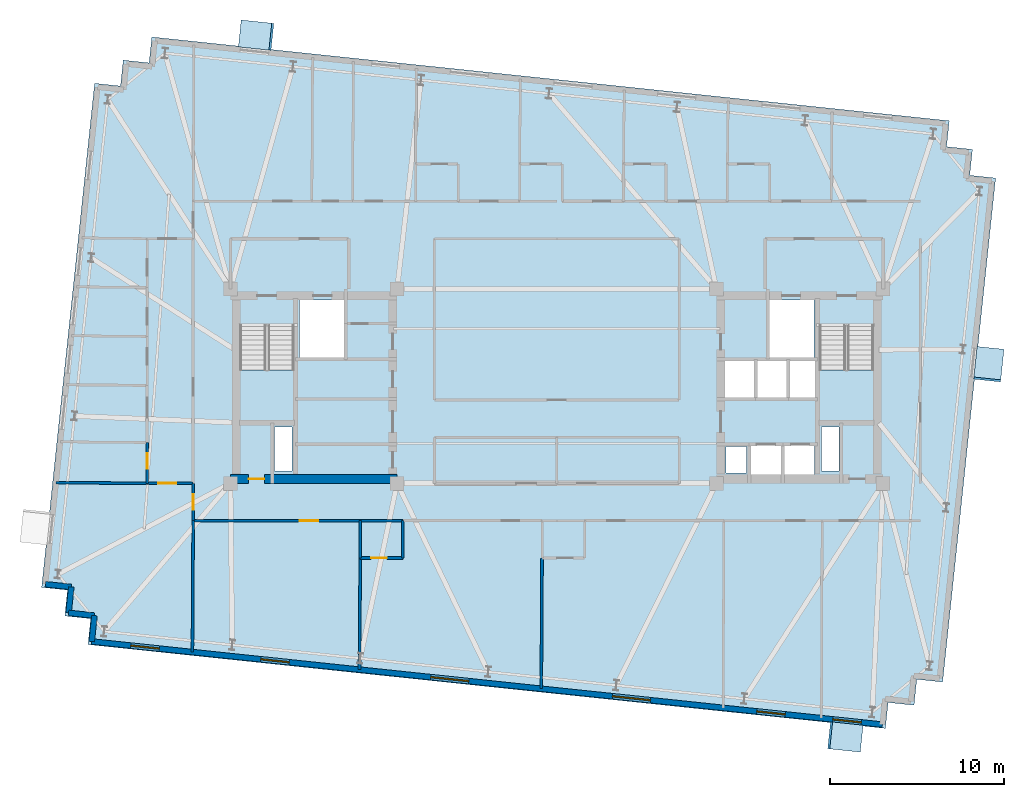
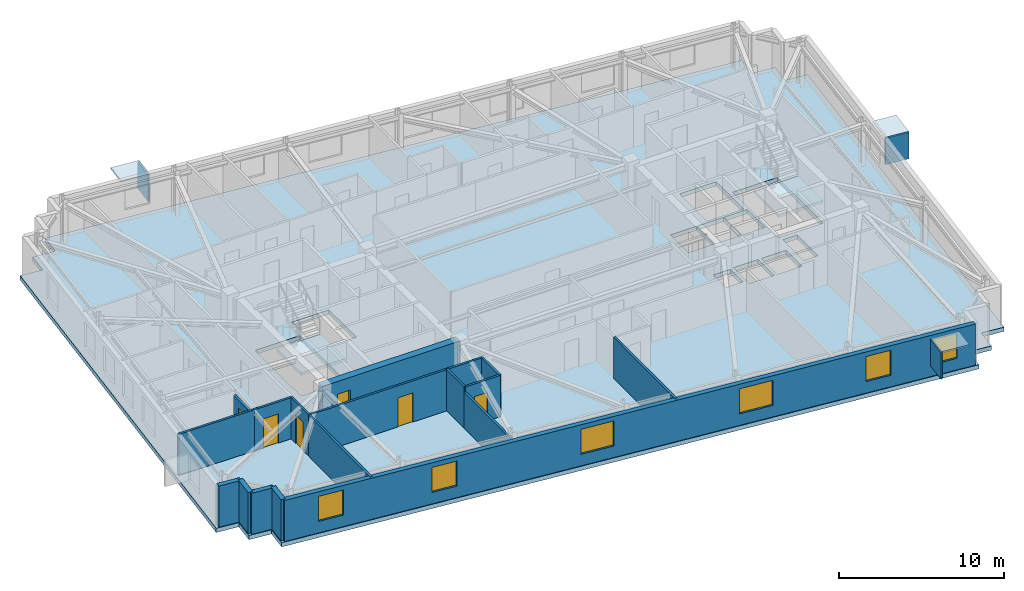
# One storey, part 5 of 12: 18 walls, 6 doors, 6 plates, 6 windows, 3 slabs, 12 openings, 2 elements without a shape of their own.
"""IFC4 building model written with IfcOpenShell, lengths in metres."""

from ifc_helpers import new_model, si_unit, direction, frame, frame_2d, origin, origin_2d, place, context, subcontext, project, spatial, polyline, rectangle, outline, extrude, material, layer, layer_set, type_object, element, fill, aggregate, save


model = new_model("IFC4")

# Units and contexts
model_context = context("Model", 3, precision=1e-05, world=origin(), true_north=direction((0.0, 1.0)))
body_context = subcontext(model_context, "Body", "Model", "MODEL_VIEW")
ifc_project = project(units=[si_unit("LENGTHUNIT", "METRE"), si_unit("AREAUNIT", "SQUARE_METRE"), si_unit("VOLUMEUNIT", "CUBIC_METRE"), si_unit("PLANEANGLEUNIT", "RADIAN"), si_unit("MASSUNIT", "GRAM", prefix="KILO")], contexts=[model_context])

# Site, building, storey
site_placement = place(None, origin())
site = spatial("IfcSite", under=ifc_project, at=site_placement, CompositionType="ELEMENT")
building_placement = place(site_placement, origin())
building = spatial("IfcBuilding", under=site, at=building_placement, Name="Qobustan Lattice House", CompositionType="ELEMENT")
storey_placement = place(building_placement, frame((0.0, 0.0, 189.699951171875)))
storey = spatial("IfcBuildingStorey", under=building, at=storey_placement, Name="L53", CompositionType="ELEMENT", Elevation=189.699951171875)

# Plates
ifc_material_1 = material(Name="Qobustan limestone GFRC", Category="masonry")
ifc_layer_1 = layer(ifc_material_1, 0.1201171875)
ifc_layer_set_1 = layer_set([ifc_layer_1], Name="Qobustan limestone GFRC")
plate_type = type_object("IfcPlateType", Name="SHD-HOOD-BROW", PredefinedType="USERDEFINED", material=ifc_layer_set_1)
plate_1_placement = place(storey_placement, frame((-17.3251953125, 20.220703125, 2.699951171875), z_axis=(0.0, 0.0, 1.0), x_axis=(0.994521895368, -0.104528463268, 0.0)))
element("IfcPlate", 1, at=plate_1_placement, inside=storey, type_object=plate_type, Name="L53 splayed Qobustan stone hood brow", ObjectType="SUNSHADE", PredefinedType="USERDEFINED", context=body_context, shape_type="SweptSolid", body=[
    extrude(rectangle(XDim=1.889892578125, YDim=1.56005859375, at=origin_2d()), origin(), (0.0, 0.0, 1.0), 0.1201171875),
])
plate_2_placement = place(storey_placement, frame((-16.445068359375, 20.128173828125, 0.7900390625), z_axis=(0.0, 0.0, 1.0), x_axis=(0.994521895368, -0.104528463268, 0.0)))
element("IfcPlate", 2, at=plate_2_placement, inside=storey, type_object=plate_type, Name="L53 splayed Qobustan stone hood cheek", ObjectType="SUNSHADE", PredefinedType="USERDEFINED", context=body_context, shape_type="SweptSolid", body=[
    extrude(rectangle(XDim=0.1201171875, YDim=1.56005859375, at=origin_2d()), origin(), (0.0, 0.0, 1.0), 1.969970703125),
])
plate_3_placement = place(storey_placement, frame((24.8896484375, 1.264892578125, 2.699951171875), z_axis=(0.0, 0.0, 1.0), x_axis=(-0.104528463268, -0.994521895368, 0.0)))
element("IfcPlate", 3, at=plate_3_placement, inside=storey, type_object=plate_type, Name="L53 splayed Qobustan stone hood brow", ObjectType="SUNSHADE", PredefinedType="USERDEFINED", context=body_context, shape_type="SweptSolid", body=[
    extrude(rectangle(XDim=1.889892578125, YDim=1.56005859375, at=origin_2d()), origin(), (0.0, 0.0, 1.0), 0.1201171875),
])
plate_4_placement = place(storey_placement, frame((24.797119140625, 0.384765625, 0.7900390625), z_axis=(0.0, 0.0, 1.0), x_axis=(-0.104528463268, -0.994521895368, 0.0)))
element("IfcPlate", 4, at=plate_4_placement, inside=storey, type_object=plate_type, Name="L53 splayed Qobustan stone hood cheek", ObjectType="SUNSHADE", PredefinedType="USERDEFINED", context=body_context, shape_type="SweptSolid", body=[
    extrude(rectangle(XDim=0.1201171875, YDim=1.56005859375, at=origin_2d()), origin(), (0.0, 0.0, 1.0), 1.969970703125),
])
plate_5_placement = place(storey_placement, frame((16.6279296875, -20.2099609375, 2.699951171875), z_axis=(0.0, 0.0, 1.0), x_axis=(-0.994521895368, 0.104528463268, 0.0)))
element("IfcPlate", 5, at=plate_5_placement, inside=storey, type_object=plate_type, Name="L53 splayed Qobustan stone hood brow", ObjectType="SUNSHADE", PredefinedType="USERDEFINED", context=body_context, shape_type="SweptSolid", body=[
    extrude(rectangle(XDim=1.889892578125, YDim=1.56005859375, at=origin_2d()), origin(), (0.0, 0.0, 1.0), 0.1201171875),
])
plate_6_placement = place(storey_placement, frame((15.747802734375, -20.117431640625, 0.7900390625), z_axis=(0.0, 0.0, 1.0), x_axis=(-0.994521895368, 0.104528463268, 0.0)))
element("IfcPlate", 6, at=plate_6_placement, inside=storey, type_object=plate_type, Name="L53 splayed Qobustan stone hood cheek", ObjectType="SUNSHADE", PredefinedType="USERDEFINED", context=body_context, shape_type="SweptSolid", body=[
    extrude(rectangle(XDim=0.1201171875, YDim=1.56005859375, at=origin_2d()), origin(), (0.0, 0.0, 1.0), 1.969970703125),
])

# Slab
ifc_material_2 = material(Name="Concrete C40/50", Category="concrete")
ifc_layer_2 = layer(ifc_material_2, 0.31005859375)
ifc_layer_set_2 = layer_set([ifc_layer_2], Name="Concrete C40/50")
slab_type_1 = type_object("IfcSlabType", Name="SLB-FLR-310", PredefinedType="FLOOR", material=ifc_layer_set_2)
slab_1_placement = place(storey_placement, frame((0.0, 0.0, -0.31005859375)))
element("IfcSlab", 7, at=slab_1_placement, inside=storey, type_object=slab_type_1, Name="L53 structural floor slab", PredefinedType="FLOOR", context=body_context, shape_type="SweptSolid", body=[
    extrude(outline(polyline([(-27.01318359375, -14.888916015625), (18.933837890625, -19.71826171875), (19.090576171875, -18.226318359375), (20.582275390625, -18.38330078125), (20.739013671875, -16.891357421875), (22.23095703125, -17.048095703125), (25.283203125, 11.99169921875), (23.79150390625, 12.148681640625), (23.947998046875, 13.640380859375), (22.456298828125, 13.797119140625), (22.61328125, 15.2890625), (-23.333740234375, 20.1181640625), (-23.490478515625, 18.62646484375), (-24.982421875, 18.783203125), (-25.13916015625, 17.29150390625), (-26.630859375, 17.4482421875), (-29.68310546875, -11.591796875), (-28.19140625, -11.74853515625), (-28.34814453125, -13.240478515625), (-26.8564453125, -13.397216796875), (-27.01318359375, -14.888916015625)]), holes=[polyline([(-18.25, -2.050048828125), (-18.25, 3.489990234375), (-15.1298828125, 3.489990234375), (-15.1298828125, -2.050048828125), (-18.25, -2.050048828125)]), polyline([(15.1298828125, -2.050048828125), (15.1298828125, 3.489990234375), (18.25, 3.489990234375), (18.25, -2.050048828125), (15.1298828125, -2.050048828125)]), polyline([(-14.820068359375, 1.64990234375), (-14.820068359375, 4.9599609375), (-12.25, 4.9599609375), (-12.25, 1.64990234375), (-14.820068359375, 1.64990234375)]), polyline([(12.25, 1.64990234375), (12.25, 4.9599609375), (14.820068359375, 4.9599609375), (14.820068359375, 1.64990234375), (12.25, 1.64990234375)]), polyline([(-16.260009765625, -4.8798828125), (-16.260009765625, -2.360107421875), (-15.260009765625, -2.360107421875), (-15.260009765625, -4.8798828125), (-16.260009765625, -4.8798828125)]), polyline([(15.260009765625, -4.8798828125), (15.260009765625, -2.360107421875), (16.260009765625, -2.360107421875), (16.260009765625, -4.8798828125), (15.260009765625, -4.8798828125)]), polyline([(11.179931640625, -5.35009765625), (11.179931640625, -3.419921875), (12.919921875, -3.419921875), (12.919921875, -5.35009765625), (11.179931640625, -5.35009765625)]), polyline([(13.1201171875, -5.35009765625), (13.1201171875, -3.419921875), (14.85009765625, -3.419921875), (14.85009765625, -5.35009765625), (13.1201171875, -5.35009765625)]), polyline([(9.760009765625, -5.0), (9.760009765625, -3.47998046875), (10.93994140625, -3.47998046875), (10.93994140625, -5.0), (9.760009765625, -5.0)]), polyline([(13.360107421875, -0.679931640625), (13.360107421875, 1.47998046875), (14.97998046875, 1.47998046875), (14.97998046875, -0.679931640625), (13.360107421875, -0.679931640625)]), polyline([(9.6201171875, -0.679931640625), (9.6201171875, 1.47998046875), (11.43994140625, 1.47998046875), (11.43994140625, -0.679931640625), (9.6201171875, -0.679931640625)]), polyline([(11.5, -0.679931640625), (11.5, 1.47998046875), (13.320068359375, 1.47998046875), (13.320068359375, -0.679931640625), (11.5, -0.679931640625)])]), origin(), (0.0, 0.0, 1.0), 0.31005859375),
])

# Stair, slab
ifc_material_3 = material(Name="Concrete C40/50", Category="concrete")
stair_type = type_object("IfcStairType", Name="STR-CORE-DOGLEG", PredefinedType="HALF_TURN_STAIR", material=ifc_material_3)
stair_1_placement = place(storey_placement, origin())
stair_1 = element("IfcStair", 8, at=stair_1_placement, inside=storey, type_object=stair_type, Name="L53 West protected exit stair ST-W1", PredefinedType="HALF_TURN_STAIR")
ifc_material_4 = material(Name="Concrete C40/50", Category="concrete")
ifc_layer_3 = layer(ifc_material_4, 0.199951171875)
ifc_layer_set_3 = layer_set([ifc_layer_3], Name="Concrete C40/50")
slab_type_2 = type_object("IfcSlabType", Name="SLB-LANDING-200", PredefinedType="LANDING", material=ifc_layer_set_3)
slab_2_placement = place(storey_placement, frame((0.0, 0.0, 1.47509765625)))
slab_2 = element("IfcSlab", 9, at=slab_2_placement, type_object=slab_type_2, Name="ST-W1 landing 1", PredefinedType="LANDING", context=body_context, shape_type="SweptSolid", body=[
    extrude(outline(polyline([(-18.25, 0.93505859375), (-18.25, -2.050048828125), (-15.1298828125, -2.050048828125), (-15.1298828125, 0.93505859375), (-18.25, 0.93505859375)])), origin(), (0.0, 0.0, 1.0), 0.199951171875),
])
aggregate(stair_1, [slab_2])

stair_2_placement = place(storey_placement, origin())
stair_2 = element("IfcStair", 10, at=stair_2_placement, inside=storey, type_object=stair_type, Name="L53 East protected exit stair ST-E1", PredefinedType="HALF_TURN_STAIR")
slab_3_placement = place(storey_placement, frame((0.0, 0.0, 1.47509765625)))
slab_3 = element("IfcSlab", 11, at=slab_3_placement, type_object=slab_type_2, Name="ST-E1 landing 1", PredefinedType="LANDING", context=body_context, shape_type="SweptSolid", body=[
    extrude(outline(polyline([(15.1298828125, 0.93505859375), (15.1298828125, -2.050048828125), (18.25, -2.050048828125), (18.25, 0.93505859375), (15.1298828125, 0.93505859375)])), origin(), (0.0, 0.0, 1.0), 0.199951171875),
])
aggregate(stair_2, [slab_3])

# Wall, opening, door
ifc_material_5 = material(Name="Concrete C50/60", Category="concrete")
ifc_layer_4 = layer(ifc_material_5, 0.5)
ifc_layer_set_4 = layer_set([ifc_layer_4], Name="Concrete C50/60")
wall_type_1 = type_object("IfcWallType", Name="WAL-CORE-500", PredefinedType="SHEAR", material=ifc_layer_set_4)
wall_1_placement = place(storey_placement, frame((-18.800048828125, -5.35009765625, 0.0), z_axis=(0.0, 0.0, 1.0), x_axis=(1.0, 0.0, 0.0)))
wall_1 = element("IfcWall", 12, at=wall_1_placement, inside=storey, type_object=wall_type_1, Name="L53 split-core shear wall CW-S", PredefinedType="SHEAR", context=body_context, shape_type="SweptSolid", body=[
    extrude(rectangle(XDim=9.60009765625, YDim=0.5, at=frame_2d((4.800048828125, 0.0))), origin(), (0.0, 0.0, 1.0), 3.0400390625),
])
opening_1_placement = place(wall_1_placement, frame((1.050048828125, 0.0, 0.0)))
opening_1 = element("IfcOpeningElement", 13, at=opening_1_placement, cuts=wall_1, Name="Opening RD-01", PredefinedType="OPENING", context=body_context, shape_type="SweptSolid", body=[
    extrude(rectangle(XDim=0.89990234375, YDim=2.10009765625, at=frame_2d((0.449951171875, 1.050048828125))), frame((0.0, 0.260009765625, 0.0), z_axis=(0.0, -1.0, 0.0), x_axis=(1.0, 0.0, 0.0)), (0.0, 0.0, 1.0), 0.52001953125),
])
ifc_material_6 = material(Name="Persian walnut timber and steel frame door", Category="steel")
door_type_1 = type_object("IfcDoorType", Name="DOR-RISER-FD-900x2100", OperationType="NOTDEFINED", PredefinedType="DOOR", material=ifc_material_6)
door_1_placement = place(opening_1_placement, origin())
door_1 = element("IfcDoor", 14, at=door_1_placement, inside=storey, type_object=door_type_1, Name="L53 core service riser access door W", OperationType="SINGLE_SWING_LEFT", OverallHeight=2.10009765625, OverallWidth=0.89990234375, PredefinedType="DOOR", context=body_context, shape_type="SweptSolid", body=[
    extrude(rectangle(XDim=0.89990234375, YDim=2.10009765625, at=frame_2d((0.449951171875, 1.050048828125))), frame((0.0, 0.02490234375, 0.0), z_axis=(0.0, -1.0, 0.0), x_axis=(1.0, 0.0, 0.0)), (0.0, 0.0, 1.0), 0.050048828125),
])
fill(opening_1, door_1)

# Walls
ifc_material_7 = material(Name="Precast concrete C40/50", Category="concrete")
ifc_layer_5 = layer(ifc_material_7, 0.320068359375)
ifc_layer_set_5 = layer_set([ifc_layer_5], Name="Precast concrete C40/50")
wall_type_2 = type_object("IfcWallType", Name="WAL-EXT-STONE-320", PredefinedType="SOLIDWALL", material=ifc_layer_set_5)
for number, where, z_axis, x_axis, name in (
    (15, (-26.79345703125, -14.7109375, 0.0), (0.0, 0.0, 1.0), (0.104498377516, 0.994525057048, 0.0), "L53 exterior limestone-clad wall 1"),
    (16, (-26.63671875, -13.21923828125, 0.0), (0.0, 0.0, 1.0), (-0.994525057048, 0.104498377516, 0.0), "L53 exterior limestone-clad wall 2"),
):
    element("IfcWall", number, at=place(storey_placement, frame(where, z_axis=z_axis, x_axis=x_axis)), inside=storey, type_object=wall_type_2, Name=name, PredefinedType="SOLIDWALL", context=body_context, shape_type="SweptSolid", body=[
        extrude(rectangle(XDim=1.5, YDim=0.320068359375, at=frame_2d((0.75, 0.0))), origin(), (0.0, 0.0, 1.0), 3.0400390625),
    ])
wall_2_placement = place(storey_placement, frame((-28.12841796875, -13.0625, 0.0), z_axis=(0.0, 0.0, 1.0), x_axis=(0.104481464157, 0.994526834051, 0.0)))
element("IfcWall", 17, at=wall_2_placement, inside=storey, type_object=wall_type_2, Name="L53 exterior limestone-clad wall 3", PredefinedType="SOLIDWALL", context=body_context, shape_type="SweptSolid", body=[
    extrude(rectangle(XDim=1.500244140625, YDim=0.320068359375, at=frame_2d((0.75, 0.0))), origin(), (0.0, 0.0, 1.0), 3.0400390625),
])
wall_3_placement = place(storey_placement, frame((-27.9716796875, -11.570556640625, 0.0), z_axis=(0.0, 0.0, 1.0), x_axis=(-0.994525057048, 0.104498377516, 0.0)))
element("IfcWall", 18, at=wall_3_placement, inside=storey, type_object=wall_type_2, Name="L53 exterior limestone-clad wall 4", PredefinedType="SOLIDWALL", context=body_context, shape_type="SweptSolid", body=[
    extrude(rectangle(XDim=1.5, YDim=0.320068359375, at=frame_2d((0.75, 0.0))), origin(), (0.0, 0.0, 1.0), 3.0400390625),
])

# Wall, openings, windows
wall_4_placement = place(storey_placement, frame((18.755859375, -19.498291015625, 0.0), z_axis=(0.0, 0.0, 1.0), x_axis=(-0.994522060044, 0.104526896475, 0.0)))
wall_4 = element("IfcWall", 19, at=wall_4_placement, inside=storey, type_object=wall_type_2, Name="L53 exterior limestone-clad wall 20", PredefinedType="SOLIDWALL", context=body_context, shape_type="SweptSolid", body=[
    extrude(rectangle(XDim=45.80029296875, YDim=0.320068359375, at=frame_2d((22.900146484375, 0.0))), origin(), (0.0, 0.0, 1.0), 3.0400390625),
])
opening_2_placement = place(wall_4_placement, frame((1.216796875, 0.0, 0.85009765625)))
opening_2 = element("IfcOpeningElement", 20, at=opening_2_placement, cuts=wall_4, Name="Opening WN-09", PredefinedType="OPENING", context=body_context, shape_type="SweptSolid", body=[
    extrude(rectangle(XDim=1.64990234375, YDim=1.85009765625, at=frame_2d((0.824951171875, 0.925048828125))), frame((0.0, 0.169921875, 0.0), z_axis=(0.0, -1.0, 0.0), x_axis=(1.0, 0.0, 0.0)), (0.0, 0.0, 1.0), 0.340087890625),
])
opening_3_placement = place(wall_4_placement, frame((5.62060546875, 0.0, 0.85009765625)))
opening_3 = element("IfcOpeningElement", 21, at=opening_3_placement, cuts=wall_4, Name="Opening WN-09", PredefinedType="OPENING", context=body_context, shape_type="SweptSolid", body=[
    extrude(rectangle(XDim=1.64990234375, YDim=1.85009765625, at=frame_2d((0.824951171875, 0.925048828125))), frame((0.0, 0.169921875, 0.0), z_axis=(0.0, -1.0, 0.0), x_axis=(1.0, 0.0, 0.0)), (0.0, 0.0, 1.0), 0.340087890625),
])
opening_4_placement = place(wall_4_placement, frame((13.4326171875, 0.0, 0.85009765625)))
opening_4 = element("IfcOpeningElement", 22, at=opening_4_placement, cuts=wall_4, Name="Opening WN-03", PredefinedType="OPENING", context=body_context, shape_type="SweptSolid", body=[
    extrude(rectangle(XDim=2.199951171875, YDim=1.85009765625, at=frame_2d((1.10009765625, 0.925048828125))), frame((0.0, 0.169921875, 0.0), z_axis=(0.0, -1.0, 0.0), x_axis=(1.0, 0.0, 0.0)), (0.0, 0.0, 1.0), 0.340087890625),
])
opening_5_placement = place(wall_4_placement, frame((23.9619140625, 0.0, 0.85009765625)))
opening_5 = element("IfcOpeningElement", 23, at=opening_5_placement, cuts=wall_4, Name="Opening WN-03", PredefinedType="OPENING", context=body_context, shape_type="SweptSolid", body=[
    extrude(rectangle(XDim=2.199951171875, YDim=1.85009765625, at=frame_2d((1.10009765625, 0.925048828125))), frame((0.0, 0.169921875, 0.0), z_axis=(0.0, -1.0, 0.0), x_axis=(1.0, 0.0, 0.0)), (0.0, 0.0, 1.0), 0.340087890625),
])
opening_6_placement = place(wall_4_placement, frame((34.36572265625, 0.0, 0.85009765625)))
opening_6 = element("IfcOpeningElement", 24, at=opening_6_placement, cuts=wall_4, Name="Opening WN-09", PredefinedType="OPENING", context=body_context, shape_type="SweptSolid", body=[
    extrude(rectangle(XDim=1.64990234375, YDim=1.85009765625, at=frame_2d((0.824951171875, 0.925048828125))), frame((0.0, 0.169921875, 0.0), z_axis=(0.0, -1.0, 0.0), x_axis=(1.0, 0.0, 0.0)), (0.0, 0.0, 1.0), 0.340087890625),
])
opening_7_placement = place(wall_4_placement, frame((41.892333984375, 0.0, 0.85009765625)))
opening_7 = element("IfcOpeningElement", 25, at=opening_7_placement, cuts=wall_4, Name="Opening WN-09", PredefinedType="OPENING", context=body_context, shape_type="SweptSolid", body=[
    extrude(rectangle(XDim=1.64990234375, YDim=1.85009765625, at=frame_2d((0.824951171875, 0.925048828125))), frame((0.0, 0.169921875, 0.0), z_axis=(0.0, -1.0, 0.0), x_axis=(1.0, 0.0, 0.0)), (0.0, 0.0, 1.0), 0.340087890625),
])
ifc_material_8 = material(Name="Double-glazed low-E aluminium window", Category="aluminium")
window_type_1 = type_object("IfcWindowType", Name="WIN-STU-1650x1850", PartitioningType="SINGLE_PANEL", PredefinedType="WINDOW", material=ifc_material_8)
window_1_placement = place(opening_2_placement, origin())
window_1 = element("IfcWindow", 26, at=window_1_placement, inside=storey, type_object=window_type_1, Name="L53 Academic seminar room window", OverallHeight=1.85009765625, OverallWidth=1.64990234375, PartitioningType="SINGLE_PANEL", PredefinedType="WINDOW", context=body_context, shape_type="SweptSolid", body=[
    extrude(rectangle(XDim=1.64990234375, YDim=1.85009765625, at=frame_2d((0.824951171875, 0.925048828125))), frame((0.0, 0.030029296875, 0.0), z_axis=(0.0, -1.0, 0.0), x_axis=(1.0, 0.0, 0.0)), (0.0, 0.0, 1.0), 0.06005859375),
])
fill(opening_2, window_1)
window_2_placement = place(opening_3_placement, origin())
window_2 = element("IfcWindow", 27, at=window_2_placement, inside=storey, type_object=window_type_1, Name="L53 Group study room window", OverallHeight=1.85009765625, OverallWidth=1.64990234375, PartitioningType="SINGLE_PANEL", PredefinedType="WINDOW", context=body_context, shape_type="SweptSolid", body=[
    extrude(rectangle(XDim=1.64990234375, YDim=1.85009765625, at=frame_2d((0.824951171875, 0.925048828125))), frame((0.0, 0.030029296875, 0.0), z_axis=(0.0, -1.0, 0.0), x_axis=(1.0, 0.0, 0.0)), (0.0, 0.0, 1.0), 0.06005859375),
])
fill(opening_3, window_2)
window_3_placement = place(opening_6_placement, origin())
window_3 = element("IfcWindow", 28, at=window_3_placement, inside=storey, type_object=window_type_1, Name="L53 Focus study room S1 window", OverallHeight=1.85009765625, OverallWidth=1.64990234375, PartitioningType="SINGLE_PANEL", PredefinedType="WINDOW", context=body_context, shape_type="SweptSolid", body=[
    extrude(rectangle(XDim=1.64990234375, YDim=1.85009765625, at=frame_2d((0.824951171875, 0.925048828125))), frame((0.0, 0.030029296875, 0.0), z_axis=(0.0, -1.0, 0.0), x_axis=(1.0, 0.0, 0.0)), (0.0, 0.0, 1.0), 0.06005859375),
])
fill(opening_6, window_3)
window_4_placement = place(opening_7_placement, origin())
window_4 = element("IfcWindow", 29, at=window_4_placement, inside=storey, type_object=window_type_1, Name="L53 Reading study room L53WS window", OverallHeight=1.85009765625, OverallWidth=1.64990234375, PartitioningType="SINGLE_PANEL", PredefinedType="WINDOW", context=body_context, shape_type="SweptSolid", body=[
    extrude(rectangle(XDim=1.64990234375, YDim=1.85009765625, at=frame_2d((0.824951171875, 0.925048828125))), frame((0.0, 0.030029296875, 0.0), z_axis=(0.0, -1.0, 0.0), x_axis=(1.0, 0.0, 0.0)), (0.0, 0.0, 1.0), 0.06005859375),
])
fill(opening_7, window_4)
ifc_material_9 = material(Name="Double-glazed low-E aluminium window", Category="aluminium")
window_type_2 = type_object("IfcWindowType", Name="WIN-WIDE-2200x1850", PartitioningType="SINGLE_PANEL", PredefinedType="WINDOW", material=ifc_material_9)
window_5_placement = place(opening_4_placement, origin())
window_5 = element("IfcWindow", 30, at=window_5_placement, inside=storey, type_object=window_type_2, Name="L53 Kitchenette and studio apartment L53-S3 window", OverallHeight=1.85009765625, OverallWidth=2.199951171875, PartitioningType="SINGLE_PANEL", PredefinedType="WINDOW", context=body_context, shape_type="SweptSolid", body=[
    extrude(rectangle(XDim=2.199951171875, YDim=1.85009765625, at=frame_2d((1.10009765625, 0.925048828125))), frame((0.0, 0.030029296875, 0.0), z_axis=(0.0, -1.0, 0.0), x_axis=(1.0, 0.0, 0.0)), (0.0, 0.0, 1.0), 0.06005859375),
])
fill(opening_4, window_5)
window_6_placement = place(opening_5_placement, origin())
window_6 = element("IfcWindow", 31, at=window_6_placement, inside=storey, type_object=window_type_2, Name="L53 Kitchenette and studio apartment L53-S2 window", OverallHeight=1.85009765625, OverallWidth=2.199951171875, PartitioningType="SINGLE_PANEL", PredefinedType="WINDOW", context=body_context, shape_type="SweptSolid", body=[
    extrude(rectangle(XDim=2.199951171875, YDim=1.85009765625, at=frame_2d((1.10009765625, 0.925048828125))), frame((0.0, 0.030029296875, 0.0), z_axis=(0.0, -1.0, 0.0), x_axis=(1.0, 0.0, 0.0)), (0.0, 0.0, 1.0), 0.06005859375),
])
fill(opening_5, window_6)

# Wall, opening, door
ifc_material_10 = material(Name="Acoustic twin-stud gypsum partition", Category="gypsum")
ifc_layer_6 = layer(ifc_material_10, 0.14990234375)
ifc_layer_set_6 = layer_set([ifc_layer_6], Name="Acoustic twin-stud gypsum partition")
wall_type_3 = type_object("IfcWallType", Name="WAL-PART-150", PredefinedType="PARTITIONING", material=ifc_layer_set_6)
wall_5_placement = place(storey_placement, frame((-20.949951171875, -7.75, 0.0), z_axis=(0.0, 0.0, 1.0), x_axis=(0.0, 1.0, 0.0)))
wall_5 = element("IfcWall", 32, at=wall_5_placement, inside=storey, type_object=wall_type_3, Name="L53 interior partition 47", PredefinedType="PARTITIONING", context=body_context, shape_type="SweptSolid", body=[
    extrude(rectangle(XDim=2.14990234375, YDim=0.14990234375, at=frame_2d((1.074951171875, 0.0))), origin(), (0.0, 0.0, 1.0), 3.0400390625),
])
opening_8_placement = place(wall_5_placement, frame((0.625, 0.0, 0.0)))
opening_8 = element("IfcOpeningElement", 33, at=opening_8_placement, cuts=wall_5, Name="Opening WD-01", PredefinedType="OPENING", context=body_context, shape_type="SweptSolid", body=[
    extrude(rectangle(XDim=0.89990234375, YDim=2.10009765625, at=frame_2d((0.449951171875, 1.050048828125))), frame((0.0, 0.0849609375, 0.0), z_axis=(0.0, -1.0, 0.0), x_axis=(1.0, 0.0, 0.0)), (0.0, 0.0, 1.0), 0.169921875),
])
ifc_material_11 = material(Name="Persian walnut timber and steel frame door", Category="steel")
door_type_2 = type_object("IfcDoorType", Name="DOR-WET-900x2100", OperationType="NOTDEFINED", PredefinedType="DOOR", material=ifc_material_11)
door_2_placement = place(opening_8_placement, origin())
door_2 = element("IfcDoor", 34, at=door_2_placement, inside=storey, type_object=door_type_2, Name="L53 South-west floor corridor to Reading study room L53WS door", OperationType="SINGLE_SWING_LEFT", OverallHeight=2.10009765625, OverallWidth=0.89990234375, PredefinedType="DOOR", context=body_context, shape_type="SweptSolid", body=[
    extrude(rectangle(XDim=0.89990234375, YDim=2.10009765625, at=frame_2d((0.449951171875, 1.050048828125))), frame((0.0, 0.02490234375, 0.0), z_axis=(0.0, -1.0, 0.0), x_axis=(1.0, 0.0, 0.0)), (0.0, 0.0, 1.0), 0.050048828125),
])
fill(opening_8, door_2)

wall_6_placement = place(storey_placement, frame((-11.324951171875, -7.75, 0.0), z_axis=(0.0, 0.0, 1.0), x_axis=(-1.0, 0.0, 0.0)))
wall_6 = element("IfcWall", 35, at=wall_6_placement, inside=storey, type_object=wall_type_3, Name="L53 interior partition 48", PredefinedType="PARTITIONING", context=body_context, shape_type="SweptSolid", body=[
    extrude(rectangle(XDim=9.625, YDim=0.14990234375, at=frame_2d((4.8125, 0.0))), origin(), (0.0, 0.0, 1.0), 3.0400390625),
])
opening_9_placement = place(wall_6_placement, frame((2.43359375, 0.0, 0.0)))
opening_9 = element("IfcOpeningElement", 36, at=opening_9_placement, cuts=wall_6, Name="Opening ID-02", PredefinedType="OPENING", context=body_context, shape_type="SweptSolid", body=[
    extrude(rectangle(XDim=1.050048828125, YDim=2.14990234375, at=frame_2d((0.52490234375, 1.074951171875))), frame((0.0, 0.0849609375, 0.0), z_axis=(0.0, -1.0, 0.0), x_axis=(1.0, 0.0, 0.0)), (0.0, 0.0, 1.0), 0.169921875),
])
ifc_material_12 = material(Name="Persian walnut timber and steel frame door", Category="steel")
door_type_3 = type_object("IfcDoorType", Name="DOR-STUDY-1050x2150", OperationType="NOTDEFINED", PredefinedType="DOOR", material=ifc_material_12)
door_3_placement = place(opening_9_placement, origin())
door_3 = element("IfcDoor", 37, at=door_3_placement, inside=storey, type_object=door_type_3, Name="L53 South-west floor corridor to Focus study room S1 door", OperationType="SINGLE_SWING_RIGHT", OverallHeight=2.14990234375, OverallWidth=1.050048828125, PredefinedType="DOOR", context=body_context, shape_type="SweptSolid", body=[
    extrude(rectangle(XDim=1.050048828125, YDim=2.14990234375, at=frame_2d((0.52490234375, 1.074951171875))), frame((0.0, 0.02490234375, 0.0), z_axis=(0.0, -1.0, 0.0), x_axis=(1.0, 0.0, 0.0)), (0.0, 0.0, 1.0), 0.050048828125),
])
fill(opening_9, door_3)

wall_7_placement = place(storey_placement, frame((-20.949951171875, -5.60009765625, 0.0), z_axis=(0.0, 0.0, 1.0), x_axis=(-1.0, 0.0, 0.0)))
wall_7 = element("IfcWall", 38, at=wall_7_placement, inside=storey, type_object=wall_type_3, Name="L53 interior partition 68", PredefinedType="PARTITIONING", context=body_context, shape_type="SweptSolid", body=[
    extrude(rectangle(XDim=2.650146484375, YDim=0.14990234375, at=frame_2d((1.3251953125, 0.0))), origin(), (0.0, 0.0, 1.0), 3.0400390625),
])
opening_10_placement = place(wall_7_placement, frame((0.965087890625, 0.0, 0.0)))
opening_10 = element("IfcOpeningElement", 39, at=opening_10_placement, cuts=wall_7, Name="Opening ID-02", PredefinedType="OPENING", context=body_context, shape_type="SweptSolid", body=[
    extrude(rectangle(XDim=1.050048828125, YDim=2.14990234375, at=frame_2d((0.52490234375, 1.074951171875))), frame((0.0, 0.0849609375, 0.0), z_axis=(0.0, -1.0, 0.0), x_axis=(1.0, 0.0, 0.0)), (0.0, 0.0, 1.0), 0.169921875),
])
door_4_placement = place(opening_10_placement, origin())
door_4 = element("IfcDoor", 40, at=door_4_placement, inside=storey, type_object=door_type_3, Name="L53 Residence entrance hall L53W to Reading study room L53WS door", OperationType="SINGLE_SWING_LEFT", OverallHeight=2.14990234375, OverallWidth=1.050048828125, PredefinedType="DOOR", context=body_context, shape_type="SweptSolid", body=[
    extrude(rectangle(XDim=1.050048828125, YDim=2.14990234375, at=frame_2d((0.52490234375, 1.074951171875))), frame((0.0, 0.02490234375, 0.0), z_axis=(0.0, -1.0, 0.0), x_axis=(1.0, 0.0, 0.0)), (0.0, 0.0, 1.0), 0.050048828125),
])
fill(opening_10, door_4)

# Walls
wall_8_placement = place(storey_placement, frame((-20.949951171875, -7.75, 0.0), z_axis=(0.0, 0.0, 1.0), x_axis=(-0.005804668564, -0.99998315277, 0.0)))
element("IfcWall", 41, at=wall_8_placement, inside=storey, type_object=wall_type_3, Name="L53 interior partition 77", PredefinedType="PARTITIONING", context=body_context, shape_type="SweptSolid", body=[
    extrude(rectangle(XDim=7.57080078125, YDim=0.14990234375, at=frame_2d((3.785400390625, 0.0))), origin(), (0.0, 0.0, 1.0), 3.0400390625),
])
wall_9_placement = place(storey_placement, frame((-11.324951171875, -9.89990234375, 0.0), z_axis=(0.0, 0.0, 1.0), x_axis=(-0.006831737937, -0.999976663406, 0.0)))
element("IfcWall", 42, at=wall_9_placement, inside=storey, type_object=wall_type_3, Name="L53 interior partition 101", PredefinedType="PARTITIONING", context=body_context, shape_type="SweptSolid", body=[
    extrude(rectangle(XDim=6.4326171875, YDim=0.14990234375, at=frame_2d((3.21630859375, 0.0))), origin(), (0.0, 0.0, 1.0), 2.6650390625),
])
wall_10_placement = place(storey_placement, frame((-0.85009765625, -9.89990234375, 0.0), z_axis=(0.0, 0.0, 1.0), x_axis=(-0.005801043172, -0.999983173807, 0.0)))
element("IfcWall", 43, at=wall_10_placement, inside=storey, type_object=wall_type_3, Name="L53 interior partition 105", PredefinedType="PARTITIONING", context=body_context, shape_type="SweptSolid", body=[
    extrude(rectangle(XDim=7.533447265625, YDim=0.14990234375, at=frame_2d((3.7666015625, 0.0))), origin(), (0.0, 0.0, 1.0), 3.0400390625),
])
ifc_material_13 = material(Name="Moisture-resistant acoustic plumbing wall", Category="gypsum")
ifc_layer_7 = layer(ifc_material_13, 0.14990234375)
ifc_layer_set_7 = layer_set([ifc_layer_7], Name="Moisture-resistant acoustic plumbing wall")
wall_type_4 = type_object("IfcWallType", Name="WAL-WET-150", PredefinedType="PLUMBINGWALL", material=ifc_layer_set_7)
wall_11_placement = place(storey_placement, frame((-8.875, -7.75, 0.0), z_axis=(0.0, 0.0, 1.0), x_axis=(-1.0, 0.0, 0.0)))
element("IfcWall", 44, at=wall_11_placement, inside=storey, type_object=wall_type_4, Name="L53 interior partition 50", PredefinedType="PLUMBINGWALL", context=body_context, shape_type="SweptSolid", body=[
    extrude(rectangle(XDim=2.449951171875, YDim=0.14990234375, at=frame_2d((1.22509765625, 0.0))), origin(), (0.0, 0.0, 1.0), 3.0400390625),
])

# Wall, opening, door
wall_12_placement = place(storey_placement, frame((-23.60009765625, -5.60009765625, 0.0), z_axis=(0.0, 0.0, 1.0), x_axis=(0.0, 1.0, 0.0)))
wall_12 = element("IfcWall", 45, at=wall_12_placement, inside=storey, type_object=wall_type_4, Name="L53 interior partition 69", PredefinedType="PLUMBINGWALL", context=body_context, shape_type="SweptSolid", body=[
    extrude(rectangle(XDim=2.35009765625, YDim=0.14990234375, at=frame_2d((1.175048828125, 0.0))), origin(), (0.0, 0.0, 1.0), 2.695068359375),
])
opening_11_placement = place(wall_12_placement, frame((0.833740234375, 0.0, 0.0)))
opening_11 = element("IfcOpeningElement", 46, at=opening_11_placement, cuts=wall_12, Name="Opening WD-01", PredefinedType="OPENING", context=body_context, shape_type="SweptSolid", body=[
    extrude(rectangle(XDim=0.89990234375, YDim=2.10009765625, at=frame_2d((0.449951171875, 1.050048828125))), frame((0.0, 0.0849609375, 0.0), z_axis=(0.0, -1.0, 0.0), x_axis=(1.0, 0.0, 0.0)), (0.0, 0.0, 1.0), 0.169921875),
])
door_5_placement = place(opening_11_placement, origin())
door_5 = element("IfcDoor", 47, at=door_5_placement, inside=storey, type_object=door_type_2, Name="L53 Residence entrance hall L53W to Shared bathroom L53W door", OperationType="SINGLE_SWING_RIGHT", OverallHeight=2.10009765625, OverallWidth=0.89990234375, PredefinedType="DOOR", context=body_context, shape_type="SweptSolid", body=[
    extrude(rectangle(XDim=0.89990234375, YDim=2.10009765625, at=frame_2d((0.449951171875, 1.050048828125))), frame((0.0, 0.02490234375, 0.0), z_axis=(0.0, -1.0, 0.0), x_axis=(1.0, 0.0, 0.0)), (0.0, 0.0, 1.0), 0.050048828125),
])
fill(opening_11, door_5)

# Walls
wall_13_placement = place(storey_placement, frame((-28.84765625, -5.55615234375, 0.0), z_axis=(0.0, 0.0, 1.0), x_axis=(0.999964936305, -0.008374136435, 0.0)))
element("IfcWall", 48, at=wall_13_placement, inside=storey, type_object=wall_type_4, Name="L53 interior partition 76", PredefinedType="PLUMBINGWALL", context=body_context, shape_type="SweptSolid", body=[
    extrude(rectangle(XDim=5.247802734375, YDim=0.14990234375, at=frame_2d((2.6240234375, 0.0))), origin(), (0.0, 0.0, 1.0), 3.0400390625),
])
wall_14_placement = place(storey_placement, frame((-11.324951171875, -7.75, 0.0), z_axis=(0.0, 0.0, 1.0), x_axis=(0.0, -1.0, 0.0)))
element("IfcWall", 49, at=wall_14_placement, inside=storey, type_object=wall_type_4, Name="L53 interior partition 102", PredefinedType="PLUMBINGWALL", context=body_context, shape_type="SweptSolid", body=[
    extrude(rectangle(XDim=2.14990234375, YDim=0.14990234375, at=frame_2d((1.074951171875, 0.0))), origin(), (0.0, 0.0, 1.0), 3.0400390625),
])

# Wall, opening, door
wall_15_placement = place(storey_placement, frame((-11.324951171875, -9.89990234375, 0.0), z_axis=(0.0, 0.0, 1.0), x_axis=(1.0, 0.0, 0.0)))
wall_15 = element("IfcWall", 50, at=wall_15_placement, inside=storey, type_object=wall_type_4, Name="L53 interior partition 103", PredefinedType="PLUMBINGWALL", context=body_context, shape_type="SweptSolid", body=[
    extrude(rectangle(XDim=2.449951171875, YDim=0.14990234375, at=frame_2d((1.22509765625, 0.0))), origin(), (0.0, 0.0, 1.0), 3.0400390625),
])
opening_12_placement = place(wall_15_placement, frame((0.628662109375, 0.0, 0.0)))
opening_12 = element("IfcOpeningElement", 51, at=opening_12_placement, cuts=wall_15, Name="Opening WD-01", PredefinedType="OPENING", context=body_context, shape_type="SweptSolid", body=[
    extrude(rectangle(XDim=0.89990234375, YDim=2.10009765625, at=frame_2d((0.449951171875, 1.050048828125))), frame((0.0, 0.0849609375, 0.0), z_axis=(0.0, -1.0, 0.0), x_axis=(1.0, 0.0, 0.0)), (0.0, 0.0, 1.0), 0.169921875),
])
door_6_placement = place(opening_12_placement, origin())
door_6 = element("IfcDoor", 52, at=door_6_placement, inside=storey, type_object=door_type_2, Name="L53 Kitchenette and studio apartment L53-S2 to En-suite bathroom L53-S2 door", OperationType="SINGLE_SWING_LEFT", OverallHeight=2.10009765625, OverallWidth=0.89990234375, PredefinedType="DOOR", context=body_context, shape_type="SweptSolid", body=[
    extrude(rectangle(XDim=0.89990234375, YDim=2.10009765625, at=frame_2d((0.449951171875, 1.050048828125))), frame((0.0, 0.02490234375, 0.0), z_axis=(0.0, -1.0, 0.0), x_axis=(1.0, 0.0, 0.0)), (0.0, 0.0, 1.0), 0.050048828125),
])
fill(opening_12, door_6)

# Wall
wall_16_placement = place(storey_placement, frame((-8.875, -9.89990234375, 0.0), z_axis=(0.0, 0.0, 1.0), x_axis=(0.0, 1.0, 0.0)))
element("IfcWall", 53, at=wall_16_placement, inside=storey, type_object=wall_type_4, Name="L53 interior partition 104", PredefinedType="PLUMBINGWALL", context=body_context, shape_type="SweptSolid", body=[
    extrude(rectangle(XDim=2.14990234375, YDim=0.14990234375, at=frame_2d((1.074951171875, 0.0))), origin(), (0.0, 0.0, 1.0), 3.0400390625),
])

save(model, "model.ifc")
